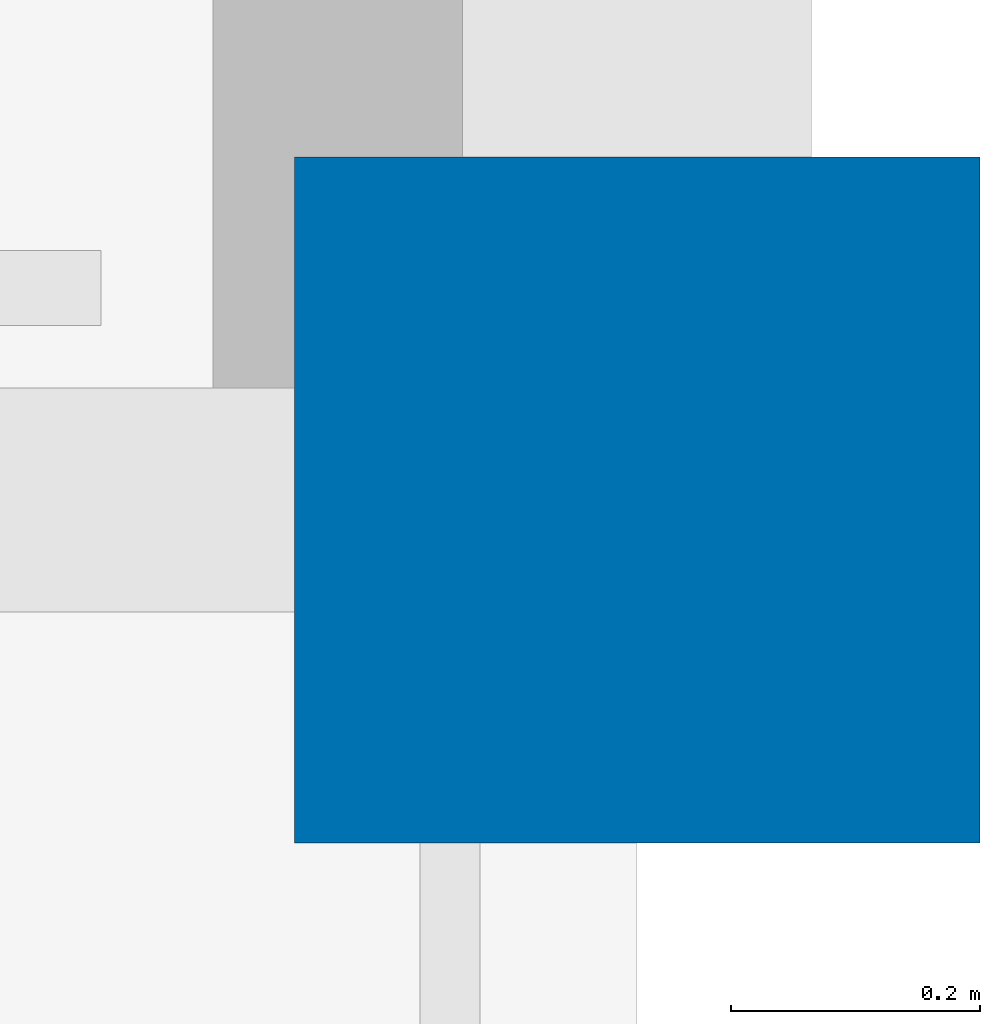
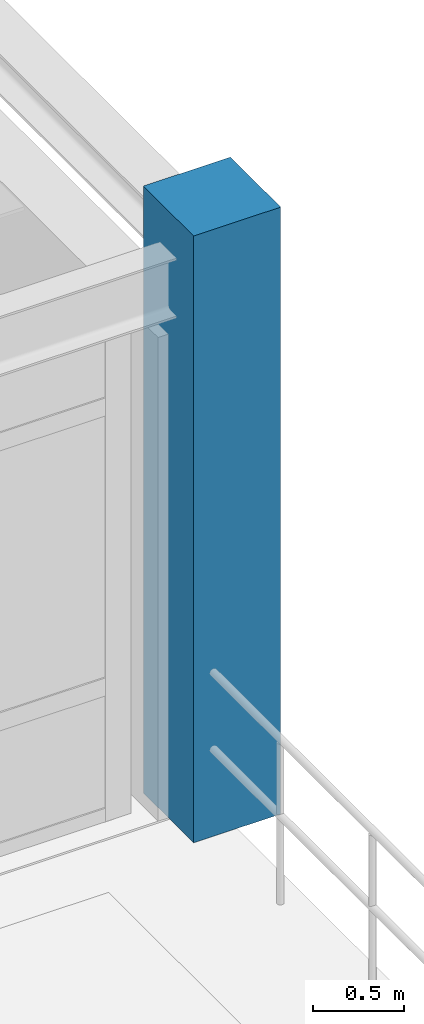
# One storey, part 9 of 58: 1 column.
"""IFC4 building model written with IfcOpenShell, lengths in metres."""

from ifc_helpers import new_model, si_unit, derived_unit, direction, frame, origin, origin_2d, place, context, subcontext, project, spatial, rectangle, extrude, material, material_profile, profile_set, type_object, element, save


model = new_model("IFC4")

# Units and contexts
model_context = context("Model", 3, precision=1e-05, world=origin(), true_north=direction((0.0, 1.0)))
body_context = subcontext(model_context, "Body", "Model", "MODEL_VIEW")
ifc_project = project(units=[si_unit("LENGTHUNIT", "METRE"), si_unit("AREAUNIT", "SQUARE_METRE"), si_unit("VOLUMEUNIT", "CUBIC_METRE"), si_unit("PLANEANGLEUNIT", "RADIAN"), si_unit("MASSUNIT", "GRAM", prefix="KILO"), derived_unit("THERMALTRANSMITTANCEUNIT", [(si_unit("POWERUNIT", "WATT"), 1), (si_unit("AREAUNIT", "SQUARE_METRE"), -1), (si_unit("THERMODYNAMICTEMPERATUREUNIT", "KELVIN"), -1)])], contexts=[model_context])

# Site, building, storey
site_placement = place(None, origin())
site = spatial("IfcSite", under=ifc_project, at=site_placement, CompositionType="ELEMENT")
building_placement = place(site_placement, origin())
building = spatial("IfcBuilding", under=site, at=building_placement, Name="Yasenodar Specialist Clinic", CompositionType="ELEMENT")
storey_placement = place(building_placement, frame((0.0, 0.0, 17.25)))
storey = spatial("IfcBuildingStorey", under=building, at=storey_placement, Name="L04", CompositionType="ELEMENT", Elevation=17.25)

# Column
ifc_material = material(Name="Concrete C35/45", Category="concrete")
ifc_material_profile = material_profile(ifc_material, rectangle(XDim=0.550048828125, YDim=0.550048828125, at=origin_2d()), Name="RC 550x550")
ifc_profile_set = profile_set([ifc_material_profile], Name="Concrete C35/45")
column_type = type_object("IfcColumnType", Name="COL-RC-550", PredefinedType="COLUMN", material=ifc_profile_set)
column_placement = place(storey_placement, frame((121.800048828125, 90.0, 0.0), z_axis=(0.0, 0.0, 1.0), x_axis=(1.0, 0.0, 0.0)))
element("IfcColumn", 1, at=column_placement, inside=storey, type_object=column_type, Name="L04 Column V5-142", PredefinedType="COLUMN", context=body_context, shape_type="SweptSolid", body=[
    extrude(rectangle(XDim=0.550048828125, YDim=0.550048828125, at=origin_2d()), origin(), (0.0, 0.0, 1.0), 4.050048828125),
])

save(model, "model.ifc")
